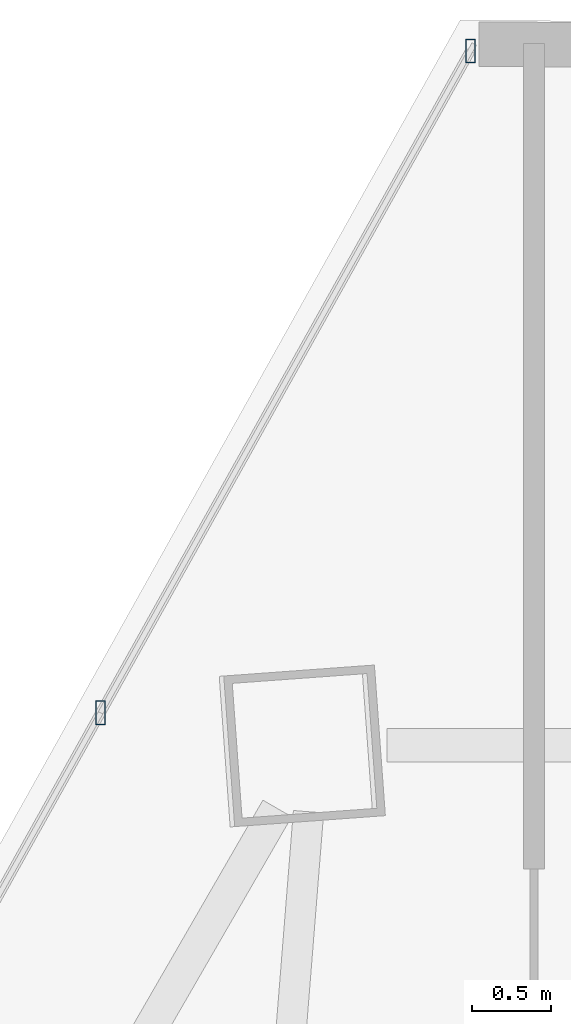
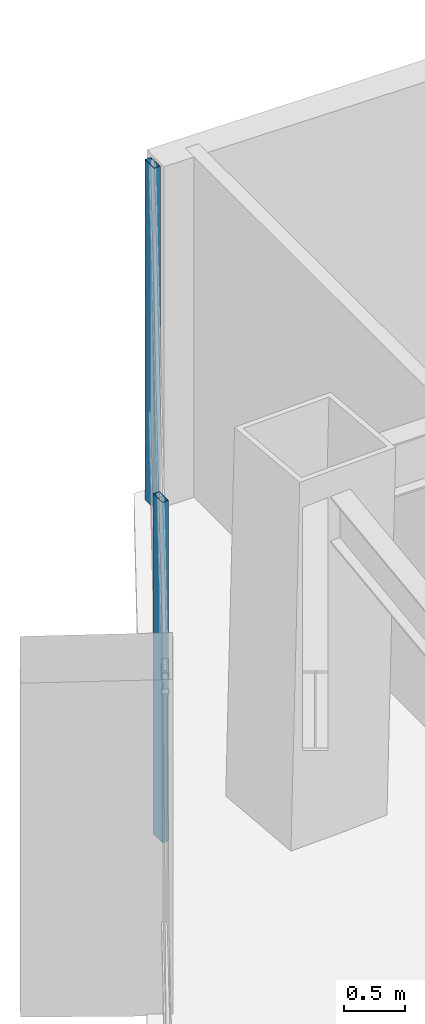
# One storey, part 28 of 38: 2 members, 1 element without a shape of its own.
"""IFC4 building model written with IfcOpenShell, lengths in metres."""

from ifc_helpers import new_model, si_unit, direction, frame, origin, origin_2d, place, context, subcontext, project, spatial, hollow_rectangle, extrude, source, transform, mapped, material, material_profile, profile_set, type_object, type_shapes, element, aggregate, save


model = new_model("IFC4")

# Units and contexts
model_context = context("Model", 3, precision=1e-05, world=origin(), true_north=direction((0.0, 1.0)))
body_context = subcontext(model_context, "Body", "Model", "MODEL_VIEW")
ifc_project = project(units=[si_unit("LENGTHUNIT", "METRE"), si_unit("AREAUNIT", "SQUARE_METRE"), si_unit("VOLUMEUNIT", "CUBIC_METRE"), si_unit("PLANEANGLEUNIT", "RADIAN"), si_unit("MASSUNIT", "GRAM", prefix="KILO")], contexts=[model_context])

# Site, building, storey
site_placement = place(None, origin())
site = spatial("IfcSite", under=ifc_project, at=site_placement, CompositionType="ELEMENT")
building_placement = place(site_placement, origin())
building = spatial("IfcBuilding", under=site, at=building_placement, Name="Caelisora Broadcast Tower", CompositionType="ELEMENT")
storey_placement = place(building_placement, frame((0.0, 0.0, 154.85009765625)))
storey = spatial("IfcBuildingStorey", under=building, at=storey_placement, Name="L40", CompositionType="ELEMENT", Elevation=154.85009765625)

# Curtain wall, members
ifc_material_1 = material(Name="Unitised Aluminium and Low-E Glass Curtain Wall", Category="glass")
curtain_wall_type = type_object("IfcCurtainWallType", Name="CW-Z3", PredefinedType="NOTDEFINED", material=ifc_material_1)
curtain_wall_placement = place(storey_placement, origin())
curtain_wall = element("IfcCurtainWall", 1, at=curtain_wall_placement, inside=storey, type_object=curtain_wall_type, Name="L40 curtain wall CW-Z3", PredefinedType="NOTDEFINED")
ifc_material_2 = material(Name="Aluminium 6063-T6 Anodised Terracotta Bronze", Category="aluminium")
ifc_material_profile = material_profile(ifc_material_2, hollow_rectangle(XDim=0.06005859375, YDim=0.14990234375, WallThickness=0.00341796875, at=origin_2d()), Name="Aluminium 6063-T6 Anodised Terracotta Bronze")
ifc_profile_set = profile_set([ifc_material_profile], Name="Aluminium 6063-T6 Anodised Terracotta Bronze")
member_type = type_object("IfcMemberType", Name="CWM-03", PredefinedType="MULLION", material=ifc_profile_set)
shared_shape = source(origin(), body_context, "Body", "SweptSolid", [
    extrude(hollow_rectangle(XDim=0.06005859375, YDim=0.14990234375, WallThickness=0.00341796875, at=origin_2d()), origin(), (0.0, 0.0, 1.0), 3.39990234375),
])
type_shapes(member_type, [shared_shape])
member_1_placement = place(storey_placement, frame((30.47412109375, 46.705810546875, 0.0), z_axis=(0.0, 0.0, 1.0), x_axis=(1.0, 0.0, 0.0)))
member_1 = element("IfcMember", 2, at=member_1_placement, type_object=member_type, Name="L40-CW-B11 mullion #2", PredefinedType="MULLION", context=body_context, shape_type="MappedRepresentation", body=[
    mapped(shared_shape, transform((0.0, 0.0, 0.0), scale=1.0)),
])
member_2_placement = place(storey_placement, frame((32.799560546875, 50.869384765625, 0.0), z_axis=(0.0, 0.0, 1.0), x_axis=(1.0, 0.0, 0.0)))
member_2 = element("IfcMember", 3, at=member_2_placement, type_object=member_type, Name="L40-CW-B11 mullion #3", PredefinedType="MULLION", context=body_context, shape_type="MappedRepresentation", body=[
    mapped(shared_shape, transform((0.0, 0.0, 0.0), scale=1.0)),
])
aggregate(curtain_wall, [member_1, member_2])

save(model, "model.ifc")
